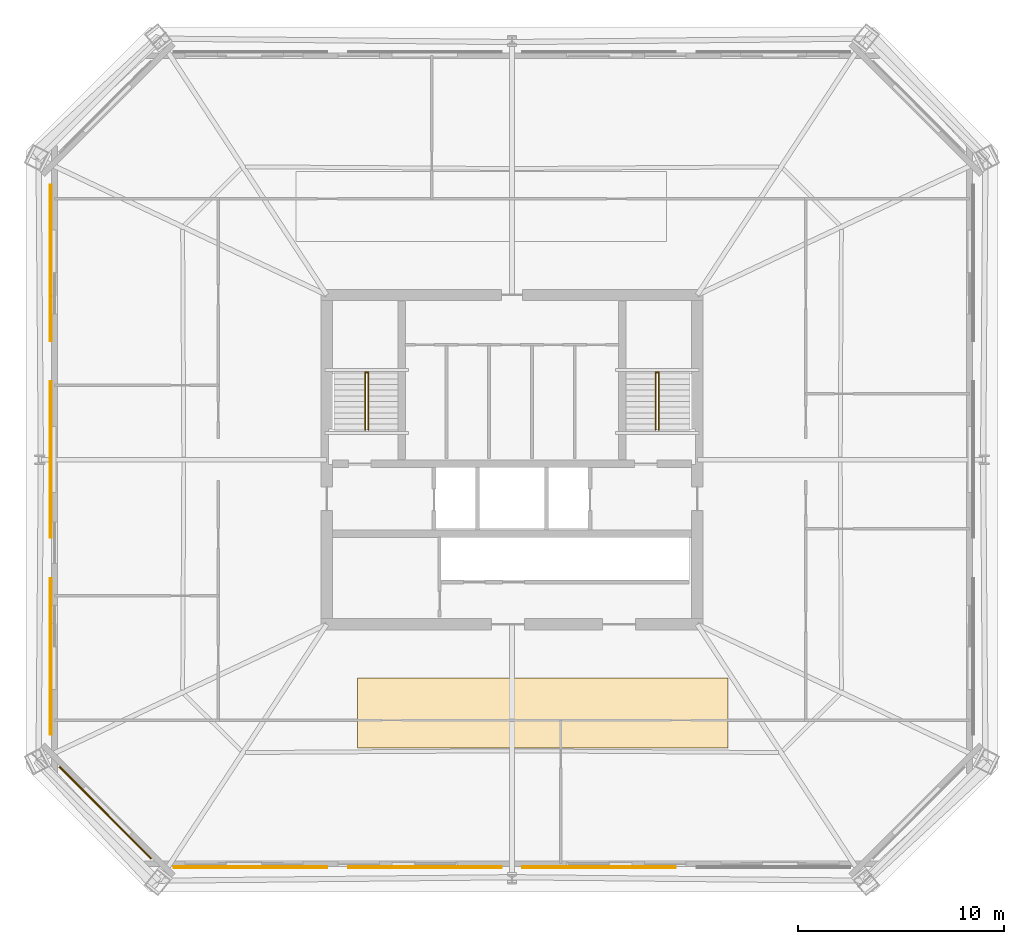
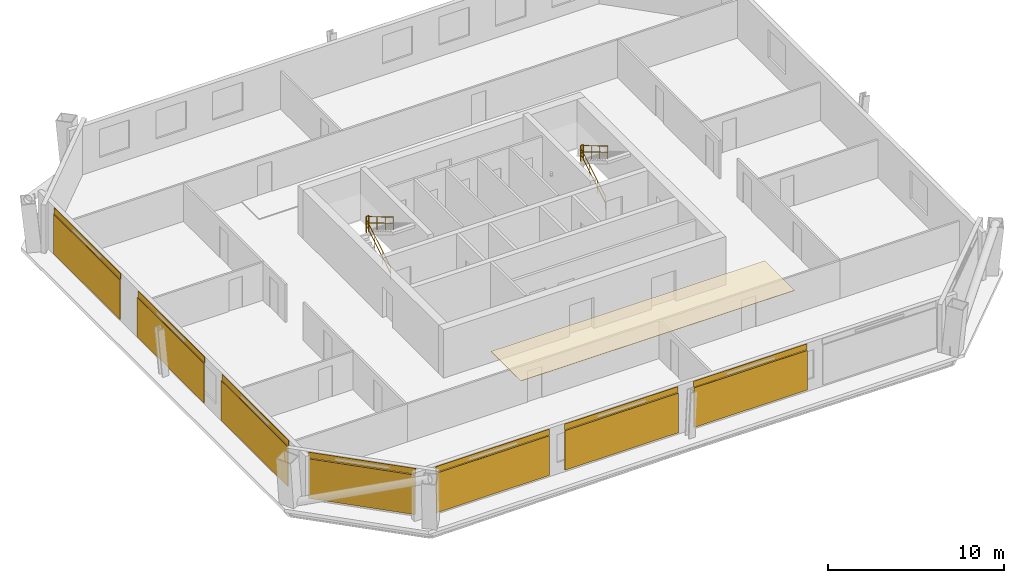
# One storey, part 6 of 7: 8 coverings, 7 shading devices, 6 railings.
"""IFC4 building model written with IfcOpenShell, lengths in metres."""

from ifc_helpers import new_model, si_unit, direction, frame, origin, origin_2d, place, context, subcontext, project, spatial, polyline, rectangle, circle, outline, extrude, material, layer, layer_set, type_object, element, save


model = new_model("IFC4")

# Units and contexts
model_context = context("Model", 3, precision=1e-05, world=origin(), true_north=direction((0.0, 1.0)))
body_context = subcontext(model_context, "Body", "Model", "MODEL_VIEW")
ifc_project = project(units=[si_unit("LENGTHUNIT", "METRE"), si_unit("AREAUNIT", "SQUARE_METRE"), si_unit("VOLUMEUNIT", "CUBIC_METRE"), si_unit("PLANEANGLEUNIT", "RADIAN"), si_unit("MASSUNIT", "GRAM", prefix="KILO")], contexts=[model_context])

# Site, building, storey
site_placement = place(None, origin())
site = spatial("IfcSite", under=ifc_project, at=site_placement, CompositionType="ELEMENT")
building_placement = place(site_placement, origin())
building = spatial("IfcBuilding", under=site, at=building_placement, Name="Caelvoria Tower", CompositionType="ELEMENT")
storey_placement = place(building_placement, frame((0.0, 0.0, 124.0)))
storey = spatial("IfcBuildingStorey", under=building, at=storey_placement, Name="L32", CompositionType="ELEMENT", Elevation=124.0)

# Coverings
ifc_material_1 = material(Name="Acoustic Mineral Fibre Tile", Category="gypsum")
ifc_layer_1 = layer(ifc_material_1, 0.02490234375, Name="Acoustic Mineral Fibre Tile")
ifc_layer_set_1 = layer_set([ifc_layer_1], Name="Mineral-Fibre Acoustic Suspended Ceiling 25 - Acoustic Mineral Fibre Tile")
covering_type_1 = type_object("IfcCoveringType", Name="Mineral-Fibre Acoustic Suspended Ceiling 25", PredefinedType="CEILING", material=ifc_layer_set_1)
covering_1_placement = place(storey_placement, frame((0.0, 0.0, 2.635009765625)))
element("IfcCovering", 1, at=covering_1_placement, inside=storey, type_object=covering_type_1, Name="Suspended Acoustic Ceiling L32", PredefinedType="CEILING", context=body_context, shape_type="SweptSolid", body=[
    extrude(outline(polyline([(38.5, 18.0), (56.5, 18.0), (56.5, 21.39990234375), (38.5, 21.39990234375), (38.5, 18.0)])), origin(), (0.0, 0.0, 1.0), 0.02490234375),
])
ifc_material_2 = material(Name="Perforated Architectural Bronze Cladding Screen", Category="bronze")
ifc_layer_2 = layer(ifc_material_2, 0.0400390625, Name="Perforated Architectural Bronze Cladding Screen")
ifc_layer_set_2 = layer_set([ifc_layer_2], Name="Perforated Bronze Louvre Cladding Band 40 - Perforated Architectural Bronze Cladding Screen")
covering_type_2 = type_object("IfcCoveringType", Name="Perforated Bronze Louvre Cladding Band 40", PredefinedType="CLADDING", material=ifc_layer_set_2)
for number, where, z_axis, x_axis, name in (
    (2, (33.294921875, 12.22802734375, 2.93994140625), (0.0, 0.0, 1.0), (1.0, 0.0, 0.0), "Perforated Bronze Screen Band L32-E0-00"),
    (3, (41.764892578125, 12.22802734375, 2.93994140625), (0.0, 0.0, 1.0), (1.0, 0.0, 0.0), "Perforated Bronze Screen Band L32-E0-01"),
    (4, (50.235107421875, 12.22802734375, 2.93994140625), (0.0, 0.0, 1.0), (1.0, 0.0, 0.0), "Perforated Bronze Screen Band L32-E0-02"),
):
    element("IfcCovering", number, at=place(storey_placement, frame(where, z_axis=z_axis, x_axis=x_axis)), inside=storey, type_object=covering_type_2, Name=name, PredefinedType="CLADDING", context=body_context, shape_type="SweptSolid", body=[
        extrude(rectangle(XDim=7.45361328125, YDim=0.0400390625, at=origin_2d()), origin(), (0.0, 0.0, 1.0), 0.39990234375),
    ])
for number, where, z_axis, x_axis, name in (
    (5, (23.6279296875, 41.56005859375, 2.93994140625), (0.0, 0.0, 1.0), (0.0, -1.0, 0.0), "Perforated Bronze Screen Band L32-E6-00"),
    (6, (23.6279296875, 32.0, 2.93994140625), (0.0, 0.0, 1.0), (0.0, -1.0, 0.0), "Perforated Bronze Screen Band L32-E6-01"),
    (7, (23.6279296875, 22.43994140625, 2.93994140625), (0.0, 0.0, 1.0), (0.0, -1.0, 0.0), "Perforated Bronze Screen Band L32-E6-02"),
):
    element("IfcCovering", number, at=place(storey_placement, frame(where, z_axis=z_axis, x_axis=x_axis)), inside=storey, type_object=covering_type_2, Name=name, PredefinedType="CLADDING", context=body_context, shape_type="SweptSolid", body=[
        extrude(rectangle(XDim=7.60009765625, YDim=0.0400390625, at=origin_2d()), origin(), (0.0, 0.0, 1.0), 0.39990234375),
    ])
covering_2_placement = place(storey_placement, frame((26.268310546875, 14.868408203125, 2.93994140625), z_axis=(0.0, 0.0, 1.0), x_axis=(0.707106781187, -0.707106781187, 0.0)))
element("IfcCovering", 8, at=covering_2_placement, inside=storey, type_object=covering_type_2, Name="Perforated Bronze Screen Band L32-E7-00", PredefinedType="CLADDING", context=body_context, shape_type="SweptSolid", body=[
    extrude(rectangle(XDim=6.305419921875, YDim=0.0400390625, at=origin_2d()), origin(), (0.0, 0.0, 1.0), 0.39990234375),
])

# Shading devices
ifc_material_3 = material(Name="Perforated Architectural Bronze Alloy Panel", Category="bronze")
ifc_layer_3 = layer(ifc_material_3, 0.044921875, Name="Perforated Architectural Bronze Alloy Panel")
ifc_layer_set_3 = layer_set([ifc_layer_3], Name="Perforated Bronze Solar Screen Panel SCREEN - Perforated Architectural Bronze Alloy Panel")
shading_device_type = type_object("IfcShadingDeviceType", Name="Perforated Bronze Solar Screen Panel SCREEN", PredefinedType="USERDEFINED", material=ifc_layer_set_3)
for number, where, z_axis, x_axis, name in (
    (9, (33.294921875, 12.18505859375, 0.159912109375), (0.0, 0.0, 1.0), (1.0, 0.0, 0.0), "Perforated Bronze Solar Screen L32-E0-00"),
    (10, (41.764892578125, 12.18505859375, 0.159912109375), (0.0, 0.0, 1.0), (1.0, 0.0, 0.0), "Perforated Bronze Solar Screen L32-E0-01"),
    (11, (50.235107421875, 12.18505859375, 0.159912109375), (0.0, 0.0, 1.0), (1.0, 0.0, 0.0), "Perforated Bronze Solar Screen L32-E0-02"),
):
    element("IfcShadingDevice", number, at=place(storey_placement, frame(where, z_axis=z_axis, x_axis=x_axis)), inside=storey, type_object=shading_device_type, Name=name, ObjectType="SCREEN", PredefinedType="USERDEFINED", context=body_context, shape_type="SweptSolid", body=[
        extrude(rectangle(XDim=7.45361328125, YDim=0.044921875, at=origin_2d()), origin(), (0.0, 0.0, 1.0), 2.75),
    ])
for number, where, z_axis, x_axis, name in (
    (12, (23.5849609375, 41.56005859375, 0.159912109375), (0.0, 0.0, 1.0), (0.0, -1.0, 0.0), "Perforated Bronze Solar Screen L32-E6-00"),
    (13, (23.5849609375, 32.0, 0.159912109375), (0.0, 0.0, 1.0), (0.0, -1.0, 0.0), "Perforated Bronze Solar Screen L32-E6-01"),
    (14, (23.5849609375, 22.43994140625, 0.159912109375), (0.0, 0.0, 1.0), (0.0, -1.0, 0.0), "Perforated Bronze Solar Screen L32-E6-02"),
):
    element("IfcShadingDevice", number, at=place(storey_placement, frame(where, z_axis=z_axis, x_axis=x_axis)), inside=storey, type_object=shading_device_type, Name=name, ObjectType="SCREEN", PredefinedType="USERDEFINED", context=body_context, shape_type="SweptSolid", body=[
        extrude(rectangle(XDim=7.60009765625, YDim=0.044921875, at=origin_2d()), origin(), (0.0, 0.0, 1.0), 2.75),
    ])
shading_device_placement = place(storey_placement, frame((26.23779296875, 14.837890625, 0.159912109375), z_axis=(0.0, 0.0, 1.0), x_axis=(0.707106781187, -0.707106781187, 0.0)))
element("IfcShadingDevice", 15, at=shading_device_placement, inside=storey, type_object=shading_device_type, Name="Perforated Bronze Solar Screen L32-E7-00", ObjectType="SCREEN", PredefinedType="USERDEFINED", context=body_context, shape_type="SweptSolid", body=[
    extrude(rectangle(XDim=6.305419921875, YDim=0.044921875, at=origin_2d()), origin(), (0.0, 0.0, 1.0), 2.75),
])

# Railings
ifc_material_4 = material(Name="Brushed Stainless Steel Tube", Category="steel")
railing_type_1 = type_object("IfcRailingType", Name="Stair Tubular Stainless Handrail 920", PredefinedType="HANDRAIL", material=ifc_material_4)
railing_1_placement = place(storey_placement, frame((38.8701171875, 33.449951171875, 0.16357421875)))
element("IfcRailing", 16, at=railing_1_placement, inside=storey, type_object=railing_type_1, Name="ST-01 Flight 1 Handrail L32", PredefinedType="HANDRAIL", context=body_context, shape_type="SweptSolid", body=[
    extrude(circle(Radius=0.02392578125, at=origin_2d()), frame((0.0, 0.0, 0.89599609375), z_axis=(0.0, 0.859351957796, 0.511384603436), x_axis=(-1.0, 0.0, 0.0)), (0.0, 0.0, 1.0), 3.2001953125),
    extrude(circle(Radius=0.02392578125, at=origin_2d()), frame((0.0, 0.0, 0.4599609375), z_axis=(0.0, 0.859351957796, 0.511384603436), x_axis=(-1.0, 0.0, 0.0)), (0.0, 0.0, 1.0), 3.2001953125),
    extrude(circle(Radius=0.02099609375, at=origin_2d()), origin(), (0.0, 0.0, 1.0), 0.871826171875),
    extrude(circle(Radius=0.02099609375, at=origin_2d()), frame((0.0, 0.916748046875, 0.54541015625)), (0.0, 0.0, 1.0), 0.871826171875),
    extrude(circle(Radius=0.02099609375, at=origin_2d()), frame((0.0, 1.833251953125, 1.091064453125)), (0.0, 0.0, 1.0), 0.871826171875),
    extrude(circle(Radius=0.02099609375, at=origin_2d()), frame((0.0, 2.75, 1.636474609375)), (0.0, 0.0, 1.0), 0.871826171875),
])
railing_2_placement = place(storey_placement, frame((39.030029296875, 36.199951171875, 1.963623046875)))
element("IfcRailing", 17, at=railing_2_placement, inside=storey, type_object=railing_type_1, Name="ST-01 Flight 2 Handrail L32", PredefinedType="HANDRAIL", context=body_context, shape_type="SweptSolid", body=[
    extrude(circle(Radius=0.02392578125, at=origin_2d()), frame((0.0, 0.0, 0.89599609375), z_axis=(0.0, -0.859351957796, 0.511384603436), x_axis=(1.0, 0.0, 0.0)), (0.0, 0.0, 1.0), 3.2001953125),
    extrude(circle(Radius=0.02392578125, at=origin_2d()), frame((0.0, 0.0, 0.4599609375), z_axis=(0.0, -0.859351957796, 0.511384603436), x_axis=(1.0, 0.0, 0.0)), (0.0, 0.0, 1.0), 3.2001953125),
    extrude(circle(Radius=0.02099609375, at=origin_2d()), origin(), (0.0, 0.0, 1.0), 0.871826171875),
    extrude(circle(Radius=0.02099609375, at=origin_2d()), frame((0.0, -0.916748046875, 0.54541015625)), (0.0, 0.0, 1.0), 0.871826171875),
    extrude(circle(Radius=0.02099609375, at=origin_2d()), frame((0.0, -1.833251953125, 1.091064453125)), (0.0, 0.0, 1.0), 0.871826171875),
    extrude(circle(Radius=0.02099609375, at=origin_2d()), frame((0.0, -2.75, 1.636474609375)), (0.0, 0.0, 1.0), 0.871826171875),
])
railing_3_placement = place(storey_placement, frame((52.969970703125, 33.449951171875, 0.16357421875)))
element("IfcRailing", 18, at=railing_3_placement, inside=storey, type_object=railing_type_1, Name="ST-02 Flight 1 Handrail L32", PredefinedType="HANDRAIL", context=body_context, shape_type="SweptSolid", body=[
    extrude(circle(Radius=0.02392578125, at=origin_2d()), frame((0.0, 0.0, 0.89599609375), z_axis=(0.0, 0.859351957796, 0.511384603436), x_axis=(-1.0, 0.0, 0.0)), (0.0, 0.0, 1.0), 3.2001953125),
    extrude(circle(Radius=0.02392578125, at=origin_2d()), frame((0.0, 0.0, 0.4599609375), z_axis=(0.0, 0.859351957796, 0.511384603436), x_axis=(-1.0, 0.0, 0.0)), (0.0, 0.0, 1.0), 3.2001953125),
    extrude(circle(Radius=0.02099609375, at=origin_2d()), origin(), (0.0, 0.0, 1.0), 0.871826171875),
    extrude(circle(Radius=0.02099609375, at=origin_2d()), frame((0.0, 0.916748046875, 0.54541015625)), (0.0, 0.0, 1.0), 0.871826171875),
    extrude(circle(Radius=0.02099609375, at=origin_2d()), frame((0.0, 1.833251953125, 1.091064453125)), (0.0, 0.0, 1.0), 0.871826171875),
    extrude(circle(Radius=0.02099609375, at=origin_2d()), frame((0.0, 2.75, 1.636474609375)), (0.0, 0.0, 1.0), 0.871826171875),
])
railing_4_placement = place(storey_placement, frame((53.1298828125, 36.199951171875, 1.963623046875)))
element("IfcRailing", 19, at=railing_4_placement, inside=storey, type_object=railing_type_1, Name="ST-02 Flight 2 Handrail L32", PredefinedType="HANDRAIL", context=body_context, shape_type="SweptSolid", body=[
    extrude(circle(Radius=0.02392578125, at=origin_2d()), frame((0.0, 0.0, 0.89599609375), z_axis=(0.0, -0.859351957796, 0.511384603436), x_axis=(1.0, 0.0, 0.0)), (0.0, 0.0, 1.0), 3.2001953125),
    extrude(circle(Radius=0.02392578125, at=origin_2d()), frame((0.0, 0.0, 0.4599609375), z_axis=(0.0, -0.859351957796, 0.511384603436), x_axis=(1.0, 0.0, 0.0)), (0.0, 0.0, 1.0), 3.2001953125),
    extrude(circle(Radius=0.02099609375, at=origin_2d()), origin(), (0.0, 0.0, 1.0), 0.871826171875),
    extrude(circle(Radius=0.02099609375, at=origin_2d()), frame((0.0, -0.916748046875, 0.54541015625)), (0.0, 0.0, 1.0), 0.871826171875),
    extrude(circle(Radius=0.02099609375, at=origin_2d()), frame((0.0, -1.833251953125, 1.091064453125)), (0.0, 0.0, 1.0), 0.871826171875),
    extrude(circle(Radius=0.02099609375, at=origin_2d()), frame((0.0, -2.75, 1.636474609375)), (0.0, 0.0, 1.0), 0.871826171875),
])
ifc_material_5 = material(Name="Brushed Stainless Steel Guardrail", Category="steel")
railing_type_2 = type_object("IfcRailingType", Name="Stair Well and Ramp Guardrail 1120", PredefinedType="GUARDRAIL", material=ifc_material_5)
for number, where, name in (
    (20, (38.8701171875, 36.239990234375, 1.800048828125), "ST-01 Half-Landing Well Guard L32"),
    (21, (52.969970703125, 36.239990234375, 1.800048828125), "ST-02 Half-Landing Well Guard L32"),
):
    element("IfcRailing", number, at=place(storey_placement, frame(where)), inside=storey, type_object=railing_type_2, Name=name, PredefinedType="GUARDRAIL", context=body_context, shape_type="SweptSolid", body=[
        extrude(circle(Radius=0.02392578125, at=origin_2d()), frame((0.0, 0.0, 1.09619140625), z_axis=(1.0, 0.0, 0.0), x_axis=(0.0, 1.0, 0.0)), (0.0, 0.0, 1.0), 0.159912109375),
        extrude(circle(Radius=0.02392578125, at=origin_2d()), frame((0.0, 0.0, 0.56005859375), z_axis=(1.0, 0.0, 0.0), x_axis=(0.0, 1.0, 0.0)), (0.0, 0.0, 1.0), 0.159912109375),
        extrude(circle(Radius=0.02099609375, at=origin_2d()), origin(), (0.0, 0.0, 1.0), 1.072021484375),
        extrude(circle(Radius=0.02099609375, at=origin_2d()), frame((0.159912109375, 0.0, 0.0)), (0.0, 0.0, 1.0), 1.072021484375),
    ])

save(model, "model.ifc")
